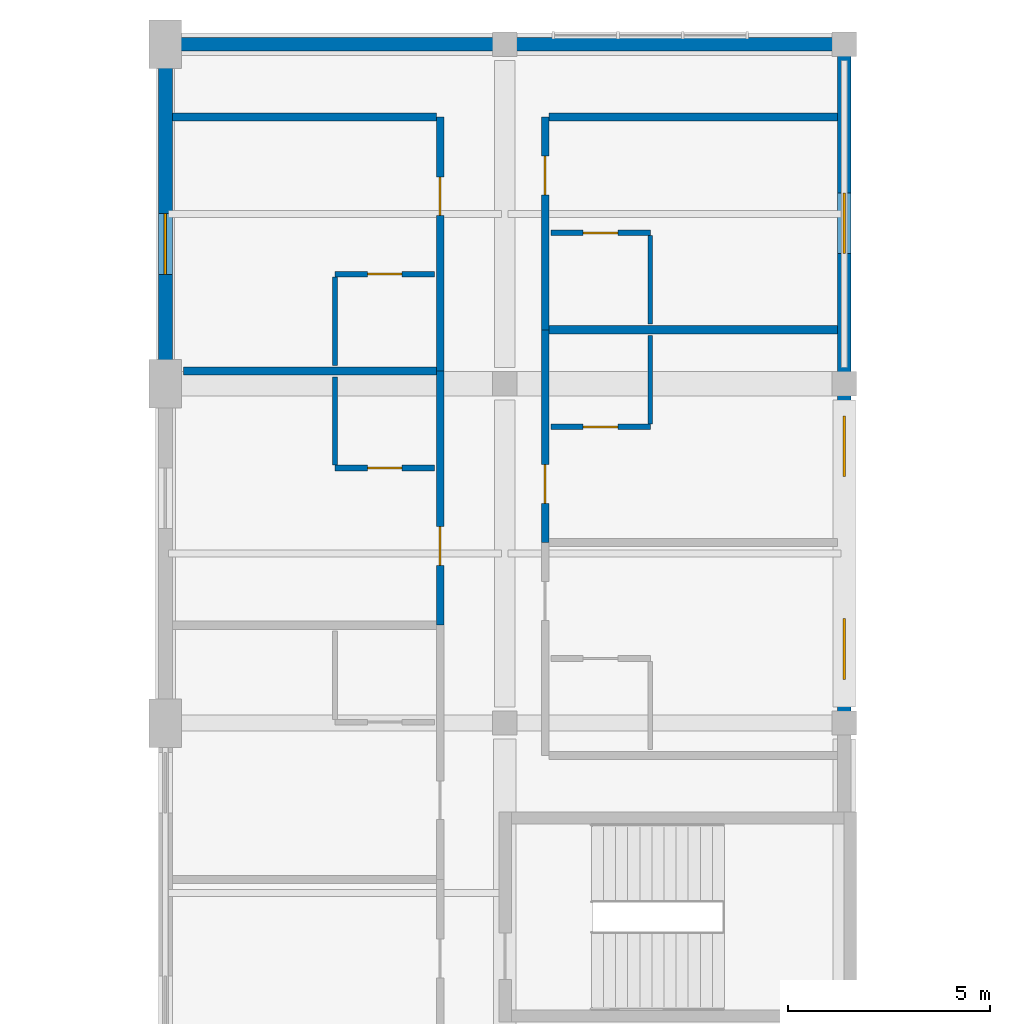
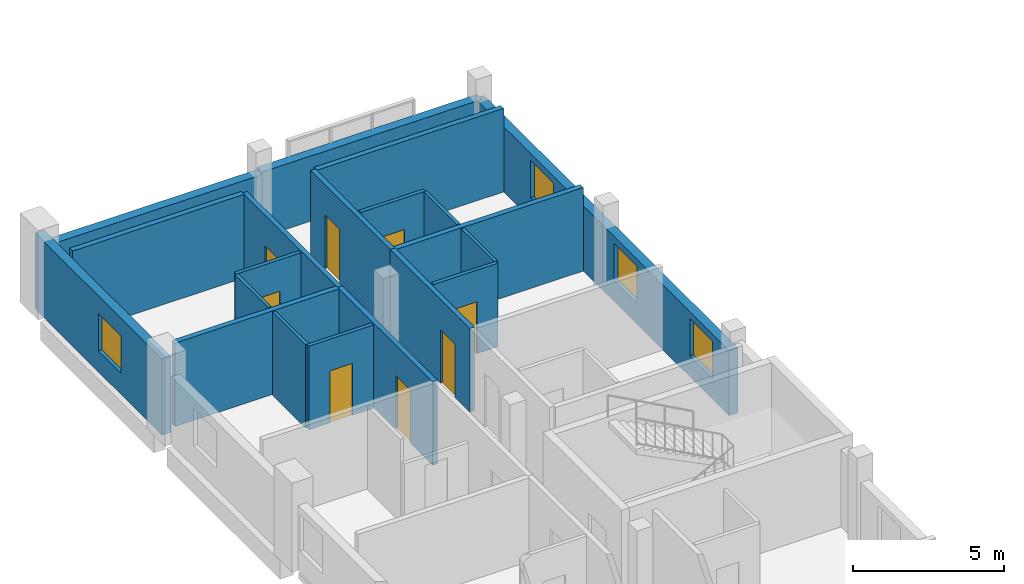
# One storey, part 21 of 25: 20 walls, 8 doors, 4 windows, 12 openings.
"""IFC4 building model written with IfcOpenShell, lengths in metres."""

from ifc_helpers import new_model, si_unit, derived_unit, direction, frame, frame_2d, origin, place, context, subcontext, project, spatial, rectangle, extrude, material, layer, layer_set, type_object, element, fill, save


model = new_model("IFC4")

# Units and contexts
model_context = context("Model", 3, precision=1e-05, world=origin(), true_north=direction((0.0, 1.0)))
body_context = subcontext(model_context, "Body", "Model", "MODEL_VIEW")
ifc_project = project(units=[si_unit("LENGTHUNIT", "METRE"), si_unit("AREAUNIT", "SQUARE_METRE"), si_unit("VOLUMEUNIT", "CUBIC_METRE"), si_unit("PLANEANGLEUNIT", "RADIAN"), si_unit("MASSUNIT", "GRAM", prefix="KILO"), derived_unit("THERMALTRANSMITTANCEUNIT", [(si_unit("POWERUNIT", "WATT"), 1), (si_unit("LENGTHUNIT", "METRE"), -2), (si_unit("THERMODYNAMICTEMPERATUREUNIT", "KELVIN"), -1)])], contexts=[model_context])

# Site, building, storey
site_placement = place(None, origin())
site = spatial("IfcSite", under=ifc_project, at=site_placement, CompositionType="ELEMENT")
building_placement = place(site_placement, origin())
building = spatial("IfcBuilding", under=site, at=building_placement, Name="Barrovel Congress Hotel", CompositionType="ELEMENT")
storey_placement = place(building_placement, frame((0.0, 0.0, 25.5)))
storey = spatial("IfcBuildingStorey", under=building, at=storey_placement, Name="L06", CompositionType="ELEMENT", Elevation=25.5)

# Wall, openings, windows
ifc_material_1 = material(Name="Fired Clay Brick Masonry", Category="masonry")
ifc_layer_1 = layer(ifc_material_1, 0.340087890625)
ifc_layer_set_1 = layer_set([ifc_layer_1], Name="Fired Clay Brick Masonry")
wall_type_1 = type_object("IfcWallType", Name="EW-BRK340", PredefinedType="STANDARD", material=ifc_layer_set_1)
wall_1_placement = place(storey_placement, frame((50.39990234375, 63.0, 0.0), z_axis=(0.0, 0.0, 1.0), x_axis=(0.0, 1.0, 0.0)))
wall_1 = element("IfcWall", 1, at=wall_1_placement, inside=storey, type_object=wall_type_1, Name="EW:L06:HW-E-2", PredefinedType="STANDARD", context=body_context, shape_type="SweptSolid", body=[
    extrude(rectangle(XDim=16.800048828125, YDim=0.340087890625, at=frame_2d((8.39990234375, 0.0))), origin(), (0.0, 0.0, 1.0), 2.6298828125),
])
opening_1_placement = place(wall_1_placement, frame((1.083251953125, 0.0, 0.85009765625)))
opening_1 = element("IfcOpeningElement", 2, at=opening_1_placement, cuts=wall_1, Name="Opening WN-07", PredefinedType="OPENING", context=body_context, shape_type="SweptSolid", body=[
    extrude(rectangle(XDim=1.5, YDim=1.5, at=frame_2d((0.75, 0.75))), frame((0.0, 0.18017578125, 0.0), z_axis=(0.0, -1.0, 0.0), x_axis=(1.0, 0.0, 0.0)), (0.0, 0.0, 1.0), 0.360107421875),
])
opening_2_placement = place(wall_1_placement, frame((6.10009765625, 0.0, 0.85009765625)))
opening_2 = element("IfcOpeningElement", 3, at=opening_2_placement, cuts=wall_1, Name="Opening WN-07", PredefinedType="OPENING", context=body_context, shape_type="SweptSolid", body=[
    extrude(rectangle(XDim=1.5, YDim=1.5, at=frame_2d((0.75, 0.75))), frame((0.0, 0.18017578125, 0.0), z_axis=(0.0, -1.0, 0.0), x_axis=(1.0, 0.0, 0.0)), (0.0, 0.0, 1.0), 0.360107421875),
])
opening_3_placement = place(wall_1_placement, frame((11.61669921875, 0.0, 0.85009765625)))
opening_3 = element("IfcOpeningElement", 4, at=opening_3_placement, cuts=wall_1, Name="Opening WN-07", PredefinedType="OPENING", context=body_context, shape_type="SweptSolid", body=[
    extrude(rectangle(XDim=1.5, YDim=1.5, at=frame_2d((0.75, 0.75))), frame((0.0, 0.18017578125, 0.0), z_axis=(0.0, -1.0, 0.0), x_axis=(1.0, 0.0, 0.0)), (0.0, 0.0, 1.0), 0.360107421875),
])
ifc_material_2 = material(Name="Double Low-E Insulated Glazing", Category="glass")
window_type = type_object("IfcWindowType", Name="WIN-WN-07", PartitioningType="SINGLE_PANEL", PredefinedType="WINDOW", material=ifc_material_2)
window_1_placement = place(opening_1_placement, origin())
window_1 = element("IfcWindow", 5, at=window_1_placement, inside=storey, type_object=window_type, Name="WIN:L06:U42", OverallHeight=1.5, OverallWidth=1.5, PartitioningType="SINGLE_PANEL", PredefinedType="WINDOW", context=body_context, shape_type="SweptSolid", body=[
    extrude(rectangle(XDim=1.5, YDim=1.5, at=frame_2d((0.75, 0.75))), frame((0.0, 0.030029296875, 0.0), z_axis=(0.0, -1.0, 0.0), x_axis=(1.0, 0.0, 0.0)), (0.0, 0.0, 1.0), 0.06005859375),
])
fill(opening_1, window_1)
window_2_placement = place(opening_2_placement, origin())
window_2 = element("IfcWindow", 6, at=window_2_placement, inside=storey, type_object=window_type, Name="WIN:L06:U43", OverallHeight=1.5, OverallWidth=1.5, PartitioningType="SINGLE_PANEL", PredefinedType="WINDOW", context=body_context, shape_type="SweptSolid", body=[
    extrude(rectangle(XDim=1.5, YDim=1.5, at=frame_2d((0.75, 0.75))), frame((0.0, 0.030029296875, 0.0), z_axis=(0.0, -1.0, 0.0), x_axis=(1.0, 0.0, 0.0)), (0.0, 0.0, 1.0), 0.06005859375),
])
fill(opening_2, window_2)
window_3_placement = place(opening_3_placement, origin())
window_3 = element("IfcWindow", 7, at=window_3_placement, inside=storey, type_object=window_type, Name="WIN:L06:U44", OverallHeight=1.5, OverallWidth=1.5, PartitioningType="SINGLE_PANEL", PredefinedType="WINDOW", context=body_context, shape_type="SweptSolid", body=[
    extrude(rectangle(XDim=1.5, YDim=1.5, at=frame_2d((0.75, 0.75))), frame((0.0, 0.030029296875, 0.0), z_axis=(0.0, -1.0, 0.0), x_axis=(1.0, 0.0, 0.0)), (0.0, 0.0, 1.0), 0.06005859375),
])
fill(opening_3, window_3)

# Walls
wall_2_placement = place(storey_placement, frame((50.39990234375, 79.800048828125, 0.0), z_axis=(0.0, 0.0, 1.0), x_axis=(-1.0, 0.0, 0.0)))
element("IfcWall", 8, at=wall_2_placement, inside=storey, type_object=wall_type_1, Name="EW:L06:HW-N", PredefinedType="STANDARD", context=body_context, shape_type="SweptSolid", body=[
    extrude(rectangle(XDim=8.39990234375, YDim=0.340087890625, at=frame_2d((4.199951171875, 0.0))), origin(), (0.0, 0.0, 1.0), 2.6298828125),
])
wall_3_placement = place(storey_placement, frame((42.0, 79.800048828125, 0.0), z_axis=(0.0, 0.0, 1.0), x_axis=(-1.0, 0.0, 0.0)))
element("IfcWall", 9, at=wall_3_placement, inside=storey, type_object=wall_type_1, Name="EW:L06:HW-N:P02", PredefinedType="STANDARD", context=body_context, shape_type="SweptSolid", body=[
    extrude(rectangle(XDim=8.39990234375, YDim=0.340087890625, at=frame_2d((4.199951171875, 0.0))), origin(), (0.0, 0.0, 1.0), 2.530029296875),
])

# Wall, opening, window
wall_4_placement = place(storey_placement, frame((33.60009765625, 79.800048828125, 0.0), z_axis=(0.0, 0.0, 1.0), x_axis=(0.0, -1.0, 0.0)))
wall_4 = element("IfcWall", 10, at=wall_4_placement, inside=storey, type_object=wall_type_1, Name="EW:L06:HW-W:P01", PredefinedType="STANDARD", context=body_context, shape_type="SweptSolid", body=[
    extrude(rectangle(XDim=8.400146484375, YDim=0.340087890625, at=frame_2d((4.2001953125, 0.0))), origin(), (0.0, 0.0, 1.0), 3.0751953125),
])
opening_4_placement = place(wall_4_placement, frame((4.194580078125, 0.0, 0.85009765625)))
opening_4 = element("IfcOpeningElement", 11, at=opening_4_placement, cuts=wall_4, Name="Opening WN-07", PredefinedType="OPENING", context=body_context, shape_type="SweptSolid", body=[
    extrude(rectangle(XDim=1.5, YDim=1.5, at=frame_2d((0.75, 0.75))), frame((0.0, 0.18017578125, 0.0), z_axis=(0.0, -1.0, 0.0), x_axis=(1.0, 0.0, 0.0)), (0.0, 0.0, 1.0), 0.360107421875),
])
window_4_placement = place(opening_4_placement, origin())
window_4 = element("IfcWindow", 12, at=window_4_placement, inside=storey, type_object=window_type, Name="WIN:L06:U36", OverallHeight=1.5, OverallWidth=1.5, PartitioningType="SINGLE_PANEL", PredefinedType="WINDOW", context=body_context, shape_type="SweptSolid", body=[
    extrude(rectangle(XDim=1.5, YDim=1.5, at=frame_2d((0.75, 0.75))), frame((0.0, 0.030029296875, 0.0), z_axis=(0.0, -1.0, 0.0), x_axis=(1.0, 0.0, 0.0)), (0.0, 0.0, 1.0), 0.06005859375),
])
fill(opening_4, window_4)

# Wall, opening, door
ifc_material_3 = material(Name="Gypsum Acoustic Stud", Category="gypsum")
ifc_layer_2 = layer(ifc_material_3, 0.179931640625)
ifc_layer_set_2 = layer_set([ifc_layer_2], Name="Gypsum Acoustic Stud")
wall_type_2 = type_object("IfcWallType", Name="PW-ACU-180", PredefinedType="PARTITIONING", material=ifc_layer_set_2)
wall_5_placement = place(storey_placement, frame((40.39990234375, 65.422119140625, 0.0), z_axis=(0.0, 0.0, 1.0), x_axis=(0.0, 1.0, 0.0)))
wall_5 = element("IfcWall", 13, at=wall_5_placement, inside=storey, type_object=wall_type_2, Name="PW:L06:U35:COR", PredefinedType="PARTITIONING", context=body_context, shape_type="SweptSolid", body=[
    extrude(rectangle(XDim=6.2890625, YDim=0.179931640625, at=frame_2d((3.14453125, 0.0))), origin(), (0.0, 0.0, 1.0), 3.375),
])
opening_5_placement = place(wall_5_placement, frame((1.4794921875, 0.0, 0.0)))
opening_5 = element("IfcOpeningElement", 14, at=opening_5_placement, cuts=wall_5, Name="Opening ID-HTL", PredefinedType="OPENING", context=body_context, shape_type="SweptSolid", body=[
    extrude(rectangle(XDim=0.9599609375, YDim=2.14990234375, at=frame_2d((0.47998046875, 1.074951171875))), frame((0.0, 0.10009765625, 0.0), z_axis=(0.0, -1.0, 0.0), x_axis=(1.0, 0.0, 0.0)), (0.0, 0.0, 1.0), 0.199951171875),
])
ifc_material_4 = material(Name="Solid Oak Acoustic Timber Door", Category="wood")
door_type_1 = type_object("IfcDoorType", Name="IDR-ID-HTL", OperationType="NOTDEFINED", PredefinedType="DOOR", material=ifc_material_4)
door_1_placement = place(opening_5_placement, origin())
door_1 = element("IfcDoor", 15, at=door_1_placement, inside=storey, type_object=door_type_1, Name="DR:L06:U35:ENT", OperationType="SINGLE_SWING_RIGHT", OverallHeight=2.14990234375, OverallWidth=0.9599609375, PredefinedType="DOOR", context=body_context, shape_type="SweptSolid", body=[
    extrude(rectangle(XDim=0.9599609375, YDim=2.14990234375, at=frame_2d((0.47998046875, 1.074951171875))), frame((0.0, 0.02490234375, 0.0), z_axis=(0.0, -1.0, 0.0), x_axis=(1.0, 0.0, 0.0)), (0.0, 0.0, 1.0), 0.050048828125),
])
fill(opening_5, door_1)

wall_6_placement = place(storey_placement, frame((40.39990234375, 71.711181640625, 0.0), z_axis=(0.0, 0.0, 1.0), x_axis=(0.0, 1.0, 0.0)))
wall_6 = element("IfcWall", 16, at=wall_6_placement, inside=storey, type_object=wall_type_2, Name="PW:L06:U36:COR", PredefinedType="PARTITIONING", context=body_context, shape_type="SweptSolid", body=[
    extrude(rectangle(XDim=6.288818359375, YDim=0.179931640625, at=frame_2d((3.14453125, 0.0))), origin(), (0.0, 0.0, 1.0), 3.375),
])
opening_6_placement = place(wall_6_placement, frame((3.849365234375, 0.0, 0.0)))
opening_6 = element("IfcOpeningElement", 17, at=opening_6_placement, cuts=wall_6, Name="Opening ID-HTL", PredefinedType="OPENING", context=body_context, shape_type="SweptSolid", body=[
    extrude(rectangle(XDim=0.9599609375, YDim=2.14990234375, at=frame_2d((0.47998046875, 1.074951171875))), frame((0.0, 0.10009765625, 0.0), z_axis=(0.0, -1.0, 0.0), x_axis=(1.0, 0.0, 0.0)), (0.0, 0.0, 1.0), 0.199951171875),
])
door_2_placement = place(opening_6_placement, origin())
door_2 = element("IfcDoor", 18, at=door_2_placement, inside=storey, type_object=door_type_1, Name="DR:L06:U36:ENT", OperationType="SINGLE_SWING_RIGHT", OverallHeight=2.14990234375, OverallWidth=0.9599609375, PredefinedType="DOOR", context=body_context, shape_type="SweptSolid", body=[
    extrude(rectangle(XDim=0.9599609375, YDim=2.14990234375, at=frame_2d((0.47998046875, 1.074951171875))), frame((0.0, 0.02490234375, 0.0), z_axis=(0.0, -1.0, 0.0), x_axis=(1.0, 0.0, 0.0)), (0.0, 0.0, 1.0), 0.050048828125),
])
fill(opening_6, door_2)

wall_7_placement = place(storey_placement, frame((43.0, 67.466796875, 0.0), z_axis=(0.0, 0.0, 1.0), x_axis=(0.0, 1.0, 0.0)))
wall_7 = element("IfcWall", 19, at=wall_7_placement, inside=storey, type_object=wall_type_2, Name="PW:L06:U43:COR", PredefinedType="PARTITIONING", context=body_context, shape_type="SweptSolid", body=[
    extrude(rectangle(XDim=5.2666015625, YDim=0.179931640625, at=frame_2d((2.63330078125, 0.0))), origin(), (0.0, 0.0, 1.0), 3.375),
])
opening_7_placement = place(wall_7_placement, frame((0.96826171875, 0.0, 0.0)))
opening_7 = element("IfcOpeningElement", 20, at=opening_7_placement, cuts=wall_7, Name="Opening ID-HTL", PredefinedType="OPENING", context=body_context, shape_type="SweptSolid", body=[
    extrude(rectangle(XDim=0.9599609375, YDim=2.14990234375, at=frame_2d((0.47998046875, 1.074951171875))), frame((0.0, 0.10009765625, 0.0), z_axis=(0.0, -1.0, 0.0), x_axis=(1.0, 0.0, 0.0)), (0.0, 0.0, 1.0), 0.199951171875),
])
door_3_placement = place(opening_7_placement, origin())
door_3 = element("IfcDoor", 21, at=door_3_placement, inside=storey, type_object=door_type_1, Name="DR:L06:U43:ENT", OperationType="SINGLE_SWING_RIGHT", OverallHeight=2.14990234375, OverallWidth=0.9599609375, PredefinedType="DOOR", context=body_context, shape_type="SweptSolid", body=[
    extrude(rectangle(XDim=0.9599609375, YDim=2.14990234375, at=frame_2d((0.47998046875, 1.074951171875))), frame((0.0, 0.02490234375, 0.0), z_axis=(0.0, -1.0, 0.0), x_axis=(1.0, 0.0, 0.0)), (0.0, 0.0, 1.0), 0.050048828125),
])
fill(opening_7, door_3)

wall_8_placement = place(storey_placement, frame((43.0, 72.7333984375, 0.0), z_axis=(0.0, 0.0, 1.0), x_axis=(0.0, 1.0, 0.0)))
wall_8 = element("IfcWall", 22, at=wall_8_placement, inside=storey, type_object=wall_type_2, Name="PW:L06:U44:COR", PredefinedType="PARTITIONING", context=body_context, shape_type="SweptSolid", body=[
    extrude(rectangle(XDim=5.2666015625, YDim=0.179931640625, at=frame_2d((2.63330078125, 0.0))), origin(), (0.0, 0.0, 1.0), 3.375),
])
opening_8_placement = place(wall_8_placement, frame((3.33837890625, 0.0, 0.0)))
opening_8 = element("IfcOpeningElement", 23, at=opening_8_placement, cuts=wall_8, Name="Opening ID-HTL", PredefinedType="OPENING", context=body_context, shape_type="SweptSolid", body=[
    extrude(rectangle(XDim=0.9599609375, YDim=2.14990234375, at=frame_2d((0.47998046875, 1.074951171875))), frame((0.0, 0.10009765625, 0.0), z_axis=(0.0, -1.0, 0.0), x_axis=(1.0, 0.0, 0.0)), (0.0, 0.0, 1.0), 0.199951171875),
])
door_4_placement = place(opening_8_placement, origin())
door_4 = element("IfcDoor", 24, at=door_4_placement, inside=storey, type_object=door_type_1, Name="DR:L06:U44:ENT", OperationType="SINGLE_SWING_RIGHT", OverallHeight=2.14990234375, OverallWidth=0.9599609375, PredefinedType="DOOR", context=body_context, shape_type="SweptSolid", body=[
    extrude(rectangle(XDim=0.9599609375, YDim=2.14990234375, at=frame_2d((0.47998046875, 1.074951171875))), frame((0.0, 0.02490234375, 0.0), z_axis=(0.0, -1.0, 0.0), x_axis=(1.0, 0.0, 0.0)), (0.0, 0.0, 1.0), 0.050048828125),
])
fill(opening_8, door_4)

# Walls
ifc_layer_3 = layer(ifc_material_3, 0.1201171875)
ifc_layer_set_3 = layer_set([ifc_layer_3], Name="Gypsum Acoustic Stud")
wall_type_3 = type_object("IfcWallType", Name="PW-INT-120", PredefinedType="PARTITIONING", material=ifc_layer_set_3)
for number, where, z_axis, x_axis, name in (
    (25, (37.800048828125, 69.381103515625, 0.0), (0.0, 0.0, 1.0), (0.0, 1.0, 0.0), "PW:L06:U35:B2"),
    (26, (37.800048828125, 71.85107421875, 0.0), (0.0, 0.0, 1.0), (0.0, 1.0, 0.0), "PW:L06:U36:B2"),
    (27, (45.60009765625, 70.4033203125, 0.0), (0.0, 0.0, 1.0), (0.0, 1.0, 0.0), "PW:L06:U43:B2"),
    (28, (45.60009765625, 72.873291015625, 0.0), (0.0, 0.0, 1.0), (0.0, 1.0, 0.0), "PW:L06:U44:B2"),
):
    element("IfcWall", number, at=place(storey_placement, frame(where, z_axis=z_axis, x_axis=x_axis)), inside=storey, type_object=wall_type_3, Name=name, PredefinedType="PARTITIONING", context=body_context, shape_type="SweptSolid", body=[
        extrude(rectangle(XDim=2.18994140625, YDim=0.1201171875, at=frame_2d((1.094970703125, 0.0))), origin(), (0.0, 0.0, 1.0), 3.375),
    ])
ifc_layer_4 = layer(ifc_material_1, 0.199951171875)
ifc_layer_set_4 = layer_set([ifc_layer_4], Name="Fired Clay Brick Masonry")
wall_type_4 = type_object("IfcWallType", Name="PW-MAS-200", PredefinedType="PARTITIONING", material=ifc_layer_set_4)
wall_9_placement = place(storey_placement, frame((34.050048828125, 71.711181640625, 0.0), z_axis=(0.0, 0.0, 1.0), x_axis=(1.0, 0.0, 0.0)))
element("IfcWall", 29, at=wall_9_placement, inside=storey, type_object=wall_type_4, Name="PW:L06:U35:DEM", PredefinedType="PARTITIONING", context=body_context, shape_type="SweptSolid", body=[
    extrude(rectangle(XDim=6.260009765625, YDim=0.199951171875, at=frame_2d((3.1298828125, 0.0))), origin(), (0.0, 0.0, 1.0), 3.375),
])
wall_10_placement = place(storey_placement, frame((33.77001953125, 78.0, 0.0), z_axis=(0.0, 0.0, 1.0), x_axis=(1.0, 0.0, 0.0)))
element("IfcWall", 30, at=wall_10_placement, inside=storey, type_object=wall_type_4, Name="PW:L06:U36:DEM", PredefinedType="PARTITIONING", context=body_context, shape_type="SweptSolid", body=[
    extrude(rectangle(XDim=6.5400390625, YDim=0.199951171875, at=frame_2d((3.27001953125, 0.0))), origin(), (0.0, 0.0, 1.0), 3.375),
])
for number, where, z_axis, x_axis, name in (
    (31, (43.090087890625, 72.7333984375, 0.0), (0.0, 0.0, 1.0), (1.0, 0.0, 0.0), "PW:L06:U43:DEM"),
    (32, (43.090087890625, 78.0, 0.0), (0.0, 0.0, 1.0), (1.0, 0.0, 0.0), "PW:L06:U44:DEM"),
):
    element("IfcWall", number, at=place(storey_placement, frame(where, z_axis=z_axis, x_axis=x_axis)), inside=storey, type_object=wall_type_4, Name=name, PredefinedType="PARTITIONING", context=body_context, shape_type="SweptSolid", body=[
        extrude(rectangle(XDim=7.139892578125, YDim=0.199951171875, at=frame_2d((3.56982421875, 0.0))), origin(), (0.0, 0.0, 1.0), 3.375),
    ])

# Wall, opening, door
ifc_material_5 = material(Name="Gypsum Moisture Board", Category="gypsum")
ifc_layer_5 = layer(ifc_material_5, 0.139892578125)
ifc_layer_set_5 = layer_set([ifc_layer_5], Name="Gypsum Moisture Board")
wall_type_5 = type_object("IfcWallType", Name="PW-WET-140", PredefinedType="PARTITIONING", material=ifc_layer_set_5)
wall_11_placement = place(storey_placement, frame((37.800048828125, 69.31103515625, 0.0), z_axis=(0.0, 0.0, 1.0), x_axis=(1.0, 0.0, 0.0)))
wall_11 = element("IfcWall", 33, at=wall_11_placement, inside=storey, type_object=wall_type_5, Name="PW:L06:U35:B1", PredefinedType="PARTITIONING", context=body_context, shape_type="SweptSolid", body=[
    extrude(rectangle(XDim=2.4599609375, YDim=0.139892578125, at=frame_2d((1.22998046875, 0.0))), origin(), (0.0, 0.0, 1.0), 3.375),
])
opening_9_placement = place(wall_11_placement, frame((0.800048828125, 0.0, 0.0)))
opening_9 = element("IfcOpeningElement", 34, at=opening_9_placement, cuts=wall_11, Name="Opening ID-ENS", PredefinedType="OPENING", context=body_context, shape_type="SweptSolid", body=[
    extrude(rectangle(XDim=0.860107421875, YDim=2.10009765625, at=frame_2d((0.43017578125, 1.050048828125))), frame((0.0, 0.080078125, 0.0), z_axis=(0.0, -1.0, 0.0), x_axis=(1.0, 0.0, 0.0)), (0.0, 0.0, 1.0), 0.159912109375),
])
ifc_material_6 = material(Name="Lacquered Timber Moisture Door", Category="wood")
door_type_2 = type_object("IfcDoorType", Name="IDR-ID-ENS", OperationType="NOTDEFINED", PredefinedType="DOOR", material=ifc_material_6)
door_5_placement = place(opening_9_placement, origin())
door_5 = element("IfcDoor", 35, at=door_5_placement, inside=storey, type_object=door_type_2, Name="DR:L06:U35:ENS", OperationType="SINGLE_SWING_LEFT", OverallHeight=2.10009765625, OverallWidth=0.860107421875, PredefinedType="DOOR", context=body_context, shape_type="SweptSolid", body=[
    extrude(rectangle(XDim=0.860107421875, YDim=2.10009765625, at=frame_2d((0.43017578125, 1.050048828125))), frame((0.0, 0.02490234375, 0.0), z_axis=(0.0, -1.0, 0.0), x_axis=(1.0, 0.0, 0.0)), (0.0, 0.0, 1.0), 0.050048828125),
])
fill(opening_9, door_5)

wall_12_placement = place(storey_placement, frame((37.800048828125, 74.111083984375, 0.0), z_axis=(0.0, 0.0, 1.0), x_axis=(1.0, 0.0, 0.0)))
wall_12 = element("IfcWall", 36, at=wall_12_placement, inside=storey, type_object=wall_type_5, Name="PW:L06:U36:B1", PredefinedType="PARTITIONING", context=body_context, shape_type="SweptSolid", body=[
    extrude(rectangle(XDim=2.4599609375, YDim=0.139892578125, at=frame_2d((1.22998046875, 0.0))), origin(), (0.0, 0.0, 1.0), 3.375),
])
opening_10_placement = place(wall_12_placement, frame((0.800048828125, 0.0, 0.0)))
opening_10 = element("IfcOpeningElement", 37, at=opening_10_placement, cuts=wall_12, Name="Opening ID-ENS", PredefinedType="OPENING", context=body_context, shape_type="SweptSolid", body=[
    extrude(rectangle(XDim=0.860107421875, YDim=2.10009765625, at=frame_2d((0.43017578125, 1.050048828125))), frame((0.0, 0.080078125, 0.0), z_axis=(0.0, -1.0, 0.0), x_axis=(1.0, 0.0, 0.0)), (0.0, 0.0, 1.0), 0.159912109375),
])
door_6_placement = place(opening_10_placement, origin())
door_6 = element("IfcDoor", 38, at=door_6_placement, inside=storey, type_object=door_type_2, Name="DR:L06:U36:ENS", OperationType="SINGLE_SWING_LEFT", OverallHeight=2.10009765625, OverallWidth=0.860107421875, PredefinedType="DOOR", context=body_context, shape_type="SweptSolid", body=[
    extrude(rectangle(XDim=0.860107421875, YDim=2.10009765625, at=frame_2d((0.43017578125, 1.050048828125))), frame((0.0, 0.02490234375, 0.0), z_axis=(0.0, -1.0, 0.0), x_axis=(1.0, 0.0, 0.0)), (0.0, 0.0, 1.0), 0.050048828125),
])
fill(opening_10, door_6)

wall_13_placement = place(storey_placement, frame((43.139892578125, 70.333251953125, 0.0), z_axis=(0.0, 0.0, 1.0), x_axis=(1.0, 0.0, 0.0)))
wall_13 = element("IfcWall", 39, at=wall_13_placement, inside=storey, type_object=wall_type_5, Name="PW:L06:U43:B1", PredefinedType="PARTITIONING", context=body_context, shape_type="SweptSolid", body=[
    extrude(rectangle(XDim=2.460205078125, YDim=0.139892578125, at=frame_2d((1.22998046875, 0.0))), origin(), (0.0, 0.0, 1.0), 3.375),
])
opening_11_placement = place(wall_13_placement, frame((0.800048828125, 0.0, 0.0)))
opening_11 = element("IfcOpeningElement", 40, at=opening_11_placement, cuts=wall_13, Name="Opening ID-ENS", PredefinedType="OPENING", context=body_context, shape_type="SweptSolid", body=[
    extrude(rectangle(XDim=0.860107421875, YDim=2.10009765625, at=frame_2d((0.43017578125, 1.050048828125))), frame((0.0, 0.080078125, 0.0), z_axis=(0.0, -1.0, 0.0), x_axis=(1.0, 0.0, 0.0)), (0.0, 0.0, 1.0), 0.159912109375),
])
door_7_placement = place(opening_11_placement, origin())
door_7 = element("IfcDoor", 41, at=door_7_placement, inside=storey, type_object=door_type_2, Name="DR:L06:U43:ENS", OperationType="SINGLE_SWING_LEFT", OverallHeight=2.10009765625, OverallWidth=0.860107421875, PredefinedType="DOOR", context=body_context, shape_type="SweptSolid", body=[
    extrude(rectangle(XDim=0.860107421875, YDim=2.10009765625, at=frame_2d((0.43017578125, 1.050048828125))), frame((0.0, 0.02490234375, 0.0), z_axis=(0.0, -1.0, 0.0), x_axis=(1.0, 0.0, 0.0)), (0.0, 0.0, 1.0), 0.050048828125),
])
fill(opening_11, door_7)

wall_14_placement = place(storey_placement, frame((43.139892578125, 75.13330078125, 0.0), z_axis=(0.0, 0.0, 1.0), x_axis=(1.0, 0.0, 0.0)))
wall_14 = element("IfcWall", 42, at=wall_14_placement, inside=storey, type_object=wall_type_5, Name="PW:L06:U44:B1", PredefinedType="PARTITIONING", context=body_context, shape_type="SweptSolid", body=[
    extrude(rectangle(XDim=2.460205078125, YDim=0.139892578125, at=frame_2d((1.22998046875, 0.0))), origin(), (0.0, 0.0, 1.0), 3.375),
])
opening_12_placement = place(wall_14_placement, frame((0.800048828125, 0.0, 0.0)))
opening_12 = element("IfcOpeningElement", 43, at=opening_12_placement, cuts=wall_14, Name="Opening ID-ENS", PredefinedType="OPENING", context=body_context, shape_type="SweptSolid", body=[
    extrude(rectangle(XDim=0.860107421875, YDim=2.10009765625, at=frame_2d((0.43017578125, 1.050048828125))), frame((0.0, 0.080078125, 0.0), z_axis=(0.0, -1.0, 0.0), x_axis=(1.0, 0.0, 0.0)), (0.0, 0.0, 1.0), 0.159912109375),
])
door_8_placement = place(opening_12_placement, origin())
door_8 = element("IfcDoor", 44, at=door_8_placement, inside=storey, type_object=door_type_2, Name="DR:L06:U44:ENS", OperationType="SINGLE_SWING_LEFT", OverallHeight=2.10009765625, OverallWidth=0.860107421875, PredefinedType="DOOR", context=body_context, shape_type="SweptSolid", body=[
    extrude(rectangle(XDim=0.860107421875, YDim=2.10009765625, at=frame_2d((0.43017578125, 1.050048828125))), frame((0.0, 0.02490234375, 0.0), z_axis=(0.0, -1.0, 0.0), x_axis=(1.0, 0.0, 0.0)), (0.0, 0.0, 1.0), 0.050048828125),
])
fill(opening_12, door_8)

save(model, "model.ifc")
